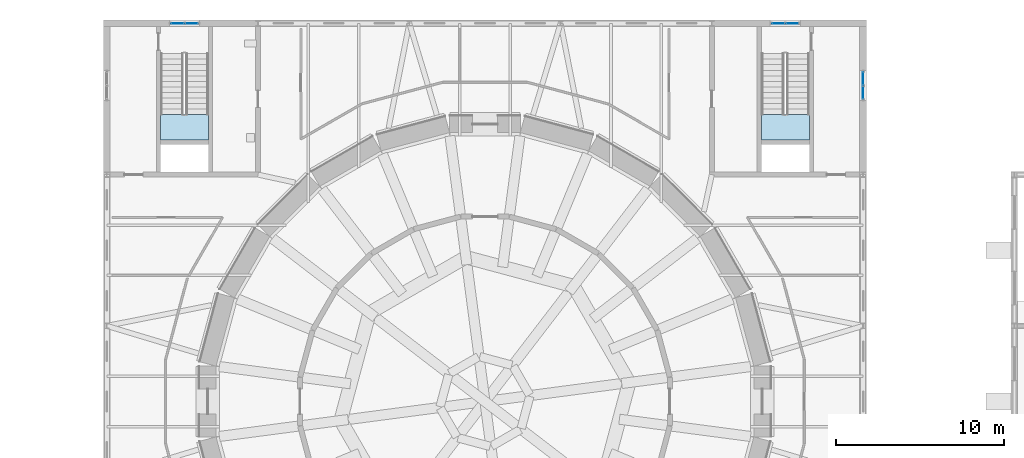
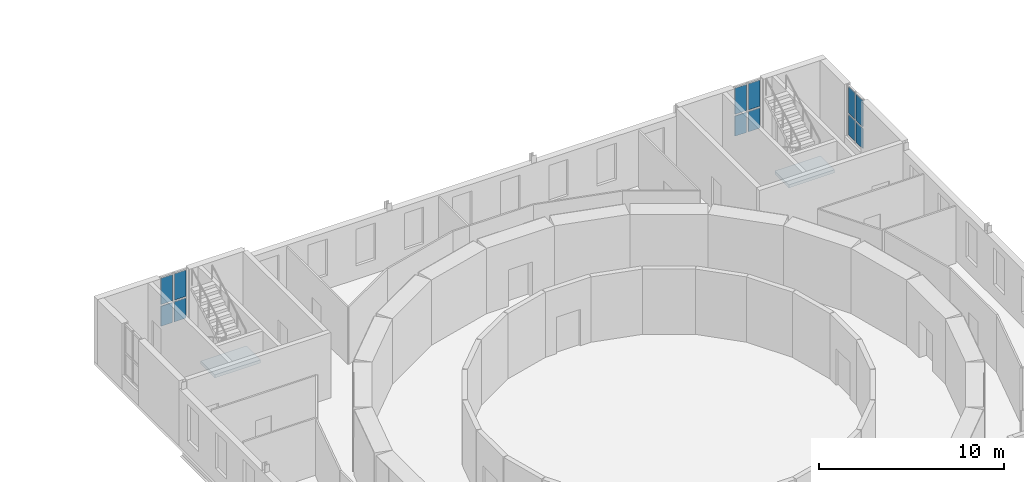
# One storey, part 69 of 131: 12 plates, 2 slabs, 5 elements without a shape of their own.
"""IFC4 building model written with IfcOpenShell, lengths in metres."""

from ifc_helpers import new_model, si_unit, direction, frame, origin, origin_2d, place, context, subcontext, project, spatial, polyline, rectangle, outline, extrude, material, layer, layer_set, type_object, element, aggregate, save


model = new_model("IFC4")

# Units and contexts
model_context = context("Model", 3, precision=1e-05, world=origin(), true_north=direction((0.0, 1.0)))
body_context = subcontext(model_context, "Body", "Model", "MODEL_VIEW")
ifc_project = project(units=[si_unit("LENGTHUNIT", "METRE"), si_unit("AREAUNIT", "SQUARE_METRE"), si_unit("VOLUMEUNIT", "CUBIC_METRE"), si_unit("PLANEANGLEUNIT", "RADIAN"), si_unit("MASSUNIT", "GRAM", prefix="KILO")], contexts=[model_context])

# Site, building, storey
site_placement = place(None, origin())
site = spatial("IfcSite", under=ifc_project, at=site_placement, CompositionType="ELEMENT")
building_placement = place(site_placement, origin())
building = spatial("IfcBuilding", under=site, at=building_placement, Name="Golden Quay Civic Hall", CompositionType="ELEMENT")
storey_placement = place(building_placement, frame((0.0, 0.0, 9.89990234375)))
storey = spatial("IfcBuildingStorey", under=building, at=storey_placement, Name="L02", CompositionType="ELEMENT", Elevation=9.89990234375)

# Curtain wall, plates
ifc_material_1 = material(Name="Fire-resisting glass and steel", Category="steel")
curtain_wall_type = type_object("IfcCurtainWallType", Name="Fire-resisting glazed stair curtain wall EI 120", PredefinedType="NOTDEFINED", material=ifc_material_1)
curtain_wall_1_placement = place(storey_placement, origin())
curtain_wall_1 = element("IfcCurtainWall", 1, at=curtain_wall_1_placement, inside=storey, type_object=curtain_wall_type, Name="CW4 stair curtain wall", PredefinedType="NOTDEFINED")
ifc_material_2 = material(Name="Fire-resisting laminated glass", Category="glass")
ifc_layer_1 = layer(ifc_material_2, 0.0400390625)
ifc_layer_set_1 = layer_set([ifc_layer_1], Name="Fire-resisting glazed stair panel 40")
plate_type = type_object("IfcPlateType", Name="Fire-resisting glazed stair panel 40", PredefinedType="CURTAIN_PANEL", material=ifc_layer_set_1)
plate_1_placement = place(storey_placement, frame((67.205078125, 108.0, 1.02001953125), z_axis=(0.0, 0.0, 1.0), x_axis=(1.0, 0.0, 0.0)))
plate_1 = element("IfcPlate", 2, at=plate_1_placement, type_object=plate_type, Name="CW4 panel 1.1", PredefinedType="CURTAIN_PANEL", context=body_context, shape_type="SweptSolid", body=[
    extrude(rectangle(XDim=0.719970703125, YDim=0.0400390625, at=origin_2d()), origin(), (0.0, 0.0, 1.0), 1.320068359375),
])
plate_2_placement = place(storey_placement, frame((67.205078125, 108.0, 2.4599609375), z_axis=(0.0, 0.0, 1.0), x_axis=(1.0, 0.0, 0.0)))
plate_2 = element("IfcPlate", 3, at=plate_2_placement, type_object=plate_type, Name="CW4 panel 1.2", PredefinedType="CURTAIN_PANEL", context=body_context, shape_type="SweptSolid", body=[
    extrude(rectangle(XDim=0.719970703125, YDim=0.0400390625, at=origin_2d()), origin(), (0.0, 0.0, 1.0), 1.719970703125),
])
plate_3_placement = place(storey_placement, frame((68.044921875, 108.0, 1.02001953125), z_axis=(0.0, 0.0, 1.0), x_axis=(1.0, 0.0, 0.0)))
plate_3 = element("IfcPlate", 4, at=plate_3_placement, type_object=plate_type, Name="CW4 panel 2.1", PredefinedType="CURTAIN_PANEL", context=body_context, shape_type="SweptSolid", body=[
    extrude(rectangle(XDim=0.719970703125, YDim=0.0400390625, at=origin_2d()), origin(), (0.0, 0.0, 1.0), 1.320068359375),
])
plate_4_placement = place(storey_placement, frame((68.044921875, 108.0, 2.4599609375), z_axis=(0.0, 0.0, 1.0), x_axis=(1.0, 0.0, 0.0)))
plate_4 = element("IfcPlate", 5, at=plate_4_placement, type_object=plate_type, Name="CW4 panel 2.2", PredefinedType="CURTAIN_PANEL", context=body_context, shape_type="SweptSolid", body=[
    extrude(rectangle(XDim=0.719970703125, YDim=0.0400390625, at=origin_2d()), origin(), (0.0, 0.0, 1.0), 1.719970703125),
])
aggregate(curtain_wall_1, [plate_1, plate_2, plate_3, plate_4])

curtain_wall_2_placement = place(storey_placement, origin())
curtain_wall_2 = element("IfcCurtainWall", 6, at=curtain_wall_2_placement, inside=storey, type_object=curtain_wall_type, Name="CW4 stair curtain wall", PredefinedType="NOTDEFINED")
plate_5_placement = place(storey_placement, frame((102.955078125, 108.0, 1.02001953125), z_axis=(0.0, 0.0, 1.0), x_axis=(1.0, 0.0, 0.0)))
plate_5 = element("IfcPlate", 7, at=plate_5_placement, type_object=plate_type, Name="CW4 panel 1.1", PredefinedType="CURTAIN_PANEL", context=body_context, shape_type="SweptSolid", body=[
    extrude(rectangle(XDim=0.719970703125, YDim=0.0400390625, at=origin_2d()), origin(), (0.0, 0.0, 1.0), 1.320068359375),
])
plate_6_placement = place(storey_placement, frame((102.955078125, 108.0, 2.4599609375), z_axis=(0.0, 0.0, 1.0), x_axis=(1.0, 0.0, 0.0)))
plate_6 = element("IfcPlate", 8, at=plate_6_placement, type_object=plate_type, Name="CW4 panel 1.2", PredefinedType="CURTAIN_PANEL", context=body_context, shape_type="SweptSolid", body=[
    extrude(rectangle(XDim=0.719970703125, YDim=0.0400390625, at=origin_2d()), origin(), (0.0, 0.0, 1.0), 1.719970703125),
])
plate_7_placement = place(storey_placement, frame((103.794921875, 108.0, 1.02001953125), z_axis=(0.0, 0.0, 1.0), x_axis=(1.0, 0.0, 0.0)))
plate_7 = element("IfcPlate", 9, at=plate_7_placement, type_object=plate_type, Name="CW4 panel 2.1", PredefinedType="CURTAIN_PANEL", context=body_context, shape_type="SweptSolid", body=[
    extrude(rectangle(XDim=0.719970703125, YDim=0.0400390625, at=origin_2d()), origin(), (0.0, 0.0, 1.0), 1.320068359375),
])
plate_8_placement = place(storey_placement, frame((103.794921875, 108.0, 2.4599609375), z_axis=(0.0, 0.0, 1.0), x_axis=(1.0, 0.0, 0.0)))
plate_8 = element("IfcPlate", 10, at=plate_8_placement, type_object=plate_type, Name="CW4 panel 2.2", PredefinedType="CURTAIN_PANEL", context=body_context, shape_type="SweptSolid", body=[
    extrude(rectangle(XDim=0.719970703125, YDim=0.0400390625, at=origin_2d()), origin(), (0.0, 0.0, 1.0), 1.719970703125),
])
aggregate(curtain_wall_2, [plate_5, plate_6, plate_7, plate_8])

curtain_wall_3_placement = place(storey_placement, origin())
curtain_wall_3 = element("IfcCurtainWall", 11, at=curtain_wall_3_placement, inside=storey, type_object=curtain_wall_type, Name="CW4 stair curtain wall", PredefinedType="NOTDEFINED")
plate_9_placement = place(storey_placement, frame((108.0, 103.8798828125, 1.02001953125), z_axis=(0.0, 0.0, 1.0), x_axis=(0.0, 1.0, 0.0)))
plate_9 = element("IfcPlate", 12, at=plate_9_placement, type_object=plate_type, Name="CW4 panel 1.1", PredefinedType="CURTAIN_PANEL", context=body_context, shape_type="SweptSolid", body=[
    extrude(rectangle(XDim=0.719970703125, YDim=0.0400390625, at=origin_2d()), origin(), (0.0, 0.0, 1.0), 1.320068359375),
])
plate_10_placement = place(storey_placement, frame((108.0, 103.8798828125, 2.4599609375), z_axis=(0.0, 0.0, 1.0), x_axis=(0.0, 1.0, 0.0)))
plate_10 = element("IfcPlate", 13, at=plate_10_placement, type_object=plate_type, Name="CW4 panel 1.2", PredefinedType="CURTAIN_PANEL", context=body_context, shape_type="SweptSolid", body=[
    extrude(rectangle(XDim=0.719970703125, YDim=0.0400390625, at=origin_2d()), origin(), (0.0, 0.0, 1.0), 1.719970703125),
])
plate_11_placement = place(storey_placement, frame((108.0, 104.719970703125, 1.02001953125), z_axis=(0.0, 0.0, 1.0), x_axis=(0.0, 1.0, 0.0)))
plate_11 = element("IfcPlate", 14, at=plate_11_placement, type_object=plate_type, Name="CW4 panel 2.1", PredefinedType="CURTAIN_PANEL", context=body_context, shape_type="SweptSolid", body=[
    extrude(rectangle(XDim=0.719970703125, YDim=0.0400390625, at=origin_2d()), origin(), (0.0, 0.0, 1.0), 1.320068359375),
])
plate_12_placement = place(storey_placement, frame((108.0, 104.719970703125, 2.4599609375), z_axis=(0.0, 0.0, 1.0), x_axis=(0.0, 1.0, 0.0)))
plate_12 = element("IfcPlate", 15, at=plate_12_placement, type_object=plate_type, Name="CW4 panel 2.2", PredefinedType="CURTAIN_PANEL", context=body_context, shape_type="SweptSolid", body=[
    extrude(rectangle(XDim=0.719970703125, YDim=0.0400390625, at=origin_2d()), origin(), (0.0, 0.0, 1.0), 1.719970703125),
])
aggregate(curtain_wall_3, [plate_9, plate_10, plate_11, plate_12])

# Stair, slab
ifc_material_3 = material(Name="Concrete C35/45", Category="concrete")
stair_type = type_object("IfcStairType", Name="Reinforced concrete stair 1350", PredefinedType="HALF_TURN_STAIR", material=ifc_material_3)
stair_1_placement = place(storey_placement, origin())
stair_1 = element("IfcStair", 16, at=stair_1_placement, inside=storey, type_object=stair_type, Name="L02 Core stair NW", PredefinedType="HALF_TURN_STAIR")
ifc_material_4 = material(Name="Concrete C35/45", Category="concrete")
ifc_layer_2 = layer(ifc_material_4, 0.199951171875)
ifc_layer_set_2 = layer_set([ifc_layer_2], Name="Reinforced concrete stair landing 200, Concrete C35/45")
slab_type = type_object("IfcSlabType", Name="Reinforced concrete stair landing 200", PredefinedType="LANDING", material=ifc_layer_set_2)
slab_1_placement = place(storey_placement, frame((0.0, 0.0, 2.050048828125)))
slab_1 = element("IfcSlab", 17, at=slab_1_placement, type_object=slab_type, Name="CB-NW landing 1", PredefinedType="LANDING", context=body_context, shape_type="SweptSolid", body=[
    extrude(outline(polyline([(66.199951171875, 102.570068359375), (66.199951171875, 101.050048828125), (69.050048828125, 101.050048828125), (69.050048828125, 102.570068359375), (66.199951171875, 102.570068359375)])), origin(), (0.0, 0.0, 1.0), 0.199951171875),
])
aggregate(stair_1, [slab_1])

stair_2_placement = place(storey_placement, origin())
stair_2 = element("IfcStair", 18, at=stair_2_placement, inside=storey, type_object=stair_type, Name="L02 Core stair NE", PredefinedType="HALF_TURN_STAIR")
slab_2_placement = place(storey_placement, frame((0.0, 0.0, 2.050048828125)))
slab_2 = element("IfcSlab", 19, at=slab_2_placement, type_object=slab_type, Name="CB-NE landing 1", PredefinedType="LANDING", context=body_context, shape_type="SweptSolid", body=[
    extrude(outline(polyline([(101.949951171875, 102.570068359375), (101.949951171875, 101.050048828125), (104.800048828125, 101.050048828125), (104.800048828125, 102.570068359375), (101.949951171875, 102.570068359375)])), origin(), (0.0, 0.0, 1.0), 0.199951171875),
])
aggregate(stair_2, [slab_2])

save(model, "model.ifc")
